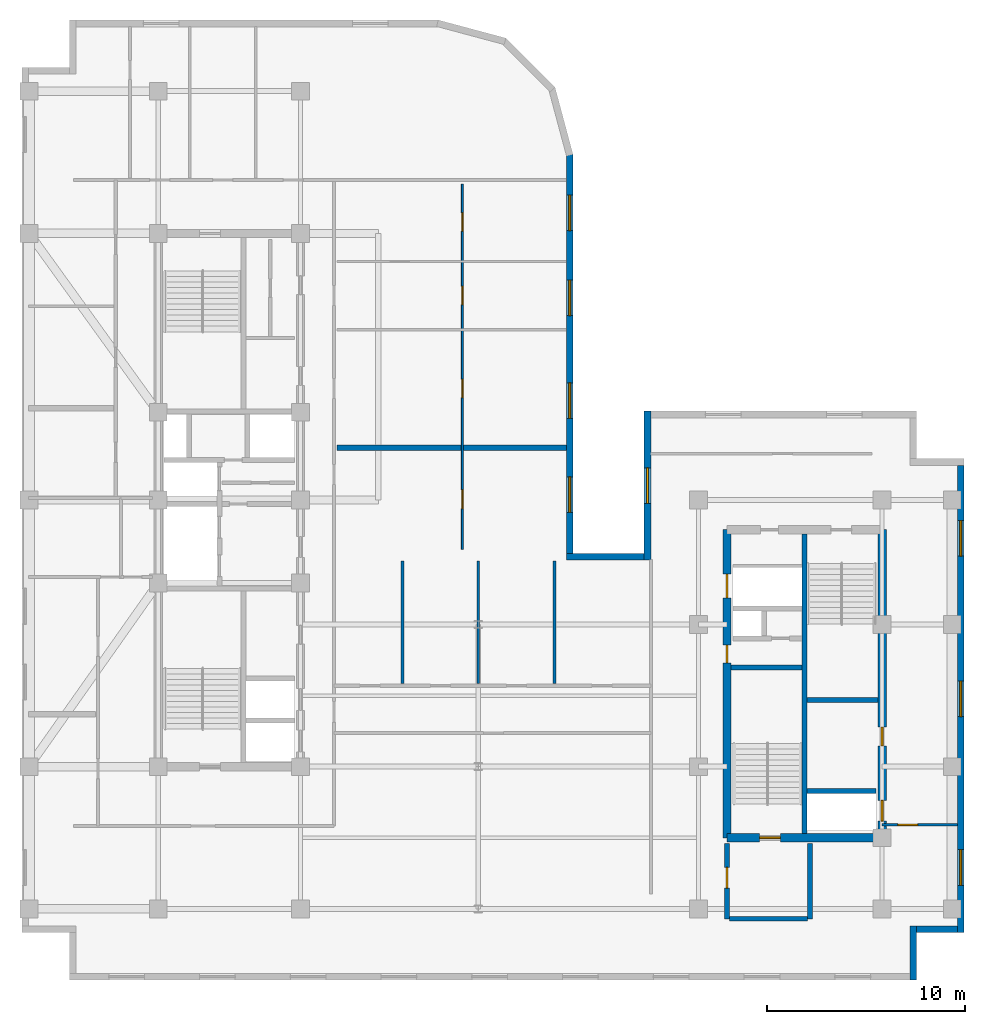
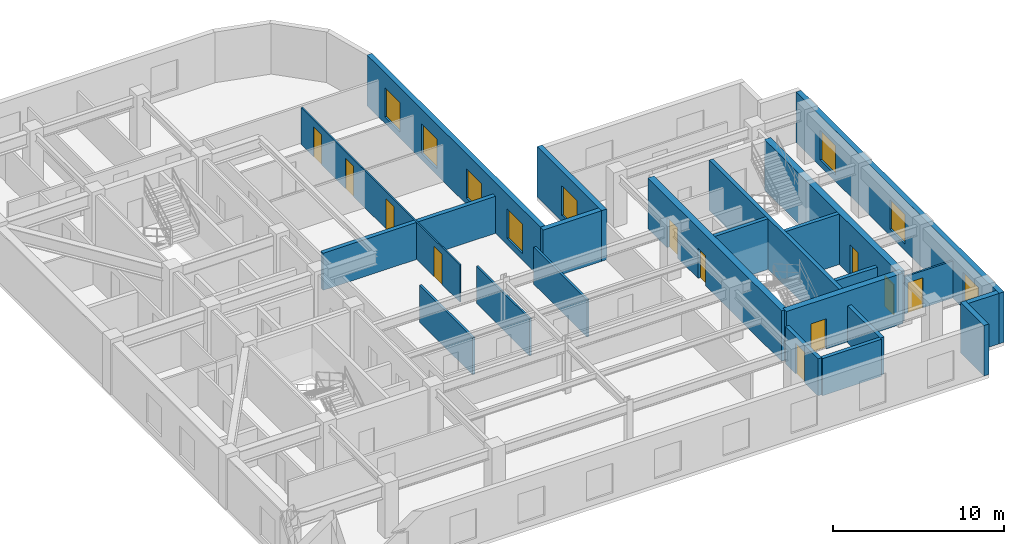
# One storey, part 5 of 10: 22 walls, 11 doors, 8 windows, 19 openings.
"""IFC4 building model written with IfcOpenShell, lengths in metres."""

from ifc_helpers import new_model, entity, si_unit, converted_unit, direction, frame, origin_with_axes, origin_2d_with_axis, place, context, subcontext, project, spatial, polyline, rectangle, outline, extrude, material, layer, layer_set, type_object, element, fill, save


model = new_model("IFC4")

# Units and contexts
model_context = context("Model", 3, precision=1e-05, world=origin_with_axes(), true_north=direction((0.0, 1.0)))
body_context = subcontext(model_context, "Body", "Model", "MODEL_VIEW")
ifc_project = project(units=[si_unit("LENGTHUNIT", "METRE"), si_unit("AREAUNIT", "SQUARE_METRE"), si_unit("VOLUMEUNIT", "CUBIC_METRE"), converted_unit("PLANEANGLEUNIT", "DEGREE", entity("IfcPlaneAngleMeasure", 0.017453292519943295), si_unit("PLANEANGLEUNIT", "RADIAN"), dimensions=[0, 0, 0, 0, 0, 0, 0]), si_unit("MASSUNIT", "GRAM", prefix="KILO"), si_unit("THERMODYNAMICTEMPERATUREUNIT", "KELVIN")], contexts=[model_context])

# Site, building, storey
site_placement = place(None, origin_with_axes())
site = spatial("IfcSite", under=ifc_project, at=site_placement, CompositionType="ELEMENT")
building_placement = place(site_placement, origin_with_axes())
building = spatial("IfcBuilding", under=site, at=building_placement, Name="Varnlund Millrace Tower", CompositionType="ELEMENT")
storey_placement = place(building_placement, frame((0.0, 0.0, 244.2), z_axis=(0.0, 0.0, 1.0), x_axis=(1.0, 0.0, 0.0)))
storey = spatial("IfcBuildingStorey", under=building, at=storey_placement, Name="L60", CompositionType="ELEMENT", Elevation=244.2)

# Wall, openings, doors
ifc_material_1 = material(Name="Concrete C60/75", Category="concrete")
ifc_layer_1 = layer(ifc_material_1, 0.42, Name="Concrete C60/75")
ifc_layer_set_1 = layer_set([ifc_layer_1], Name="Concrete C60/75")
wall_type_1 = type_object("IfcWallType", Name="Type-CoreWall-Shear-420-C60", PredefinedType="SHEAR", material=ifc_layer_set_1)
wall_1_placement = place(storey_placement, frame((40.2, 7.2, 0.0), z_axis=(0.0, 0.0, 1.0), x_axis=(0.0, 1.0, 0.0)))
wall_1 = element("IfcWall", 1, at=wall_1_placement, inside=storey, type_object=wall_type_1, Name="Type-CoreWall-Shear-420-C60", PredefinedType="SHEAR", context=body_context, shape_type="SweptSolid", body=[
    extrude(outline(polyline([(0.0, -0.21), (15.6, -0.21), (15.6, 0.21), (0.0, 0.21), (0.0, -0.21)])), origin_with_axes(), (0.0, 0.0, 1.0), 3.6),
])
opening_1_placement = place(wall_1_placement, frame((12.75, 0.0, 0.0), z_axis=(0.0, 0.0, 1.0), x_axis=(1.0, 0.0, 0.0)))
opening_1 = element("IfcOpeningElement", 2, at=opening_1_placement, cuts=wall_1, Name="Opening L60:LD-SRV2", PredefinedType="OPENING", context=body_context, shape_type="SweptSolid", body=[
    extrude(rectangle(XDim=1.2, YDim=0.44, at=origin_2d_with_axis()), origin_with_axes(), (0.0, 0.0, 1.0), 2.15),
])
opening_2_placement = place(wall_1_placement, frame((9.3, 0.0, 0.0), z_axis=(0.0, 0.0, 1.0), x_axis=(1.0, 0.0, 0.0)))
opening_2 = element("IfcOpeningElement", 3, at=opening_2_placement, cuts=wall_1, Name="Opening L60:DR-CB-JAN", PredefinedType="OPENING", context=body_context, shape_type="SweptSolid", body=[
    extrude(rectangle(XDim=0.9, YDim=0.44, at=origin_2d_with_axis()), origin_with_axes(), (0.0, 0.0, 1.0), 2.15),
])
ifc_material_2 = material(Name="Fire-rated hollow steel service closet door", Category="steel")
door_type_1 = type_object("IfcDoorType", Name="Type-FireDoor-Closet-900X2150", OperationType="NOTDEFINED", PredefinedType="DOOR", material=ifc_material_2)
door_1_placement = place(wall_1_placement, frame((9.3, 0.0, 0.0), z_axis=(0.0, 0.0, 1.0), x_axis=(1.0, 0.0, 0.0)))
door_1 = element("IfcDoor", 4, at=door_1_placement, inside=storey, type_object=door_type_1, Name="Type-FireDoor-Closet-900X2150", OperationType="SINGLE_SWING_RIGHT", OverallHeight=2.15, OverallWidth=0.9, PredefinedType="DOOR", context=body_context, shape_type="SweptSolid", body=[
    extrude(rectangle(XDim=0.9, YDim=0.09, at=origin_2d_with_axis()), origin_with_axes(), (0.0, 0.0, 1.0), 2.15),
])
fill(opening_2, door_1)
ifc_material_3 = material(Name="Heavy-duty freight sliding landing door")
door_type_2 = type_object("IfcDoorType", Name="Type-LiftLandingDoor-Service-1200X2150", OperationType="NOTDEFINED", PredefinedType="DOOR", material=ifc_material_3)
door_2_placement = place(wall_1_placement, frame((12.75, 0.0, 0.0), z_axis=(0.0, 0.0, 1.0), x_axis=(1.0, 0.0, 0.0)))
door_2 = element("IfcDoor", 5, at=door_2_placement, inside=storey, type_object=door_type_2, Name="Type-LiftLandingDoor-Service-1200X2150", OperationType="DOUBLE_DOOR_SLIDING", OverallHeight=2.15, OverallWidth=1.2, PredefinedType="DOOR", context=body_context, shape_type="SweptSolid", body=[
    extrude(rectangle(XDim=1.2, YDim=0.09, at=origin_2d_with_axis()), origin_with_axes(), (0.0, 0.0, 1.0), 2.15),
])
fill(opening_1, door_2)

# Wall, opening, door
wall_2_placement = place(storey_placement, frame((40.2, 7.2, 0.0), z_axis=(0.0, 0.0, 1.0), x_axis=(1.0, 0.0, 0.0)))
wall_2 = element("IfcWall", 6, at=wall_2_placement, inside=storey, type_object=wall_type_1, Name="Type-CoreWall-Shear-420-C60", PredefinedType="SHEAR", context=body_context, shape_type="SweptSolid", body=[
    extrude(outline(polyline([(0.0, -0.21), (7.85, -0.21), (7.85, 0.21), (0.0, 0.21), (0.0, -0.21)])), origin_with_axes(), (0.0, 0.0, 1.0), 3.6),
])
opening_3_placement = place(wall_2_placement, frame((2.175, 0.0, 0.0), z_axis=(0.0, 0.0, 1.0), x_axis=(1.0, 0.0, 0.0)))
opening_3 = element("IfcOpeningElement", 7, at=opening_3_placement, cuts=wall_2, Name="Opening L60:DR-STB1", PredefinedType="OPENING", context=body_context, shape_type="SweptSolid", body=[
    extrude(rectangle(XDim=1.05, YDim=0.44, at=origin_2d_with_axis()), origin_with_axes(), (0.0, 0.0, 1.0), 2.15),
])
ifc_material_4 = material(Name="Fire-rated hollow steel door", Category="steel")
door_type_3 = type_object("IfcDoorType", Name="Type-FireDoor-Stair-1050X2150", OperationType="NOTDEFINED", PredefinedType="DOOR", material=ifc_material_4)
door_3_placement = place(wall_2_placement, frame((2.175, 0.0, 0.0), z_axis=(0.0, 0.0, 1.0), x_axis=(1.0, 0.0, 0.0)))
door_3 = element("IfcDoor", 8, at=door_3_placement, inside=storey, type_object=door_type_3, Name="Type-FireDoor-Stair-1050X2150", OperationType="SINGLE_SWING_LEFT", OverallHeight=2.15, OverallWidth=1.05, PredefinedType="DOOR", context=body_context, shape_type="SweptSolid", body=[
    extrude(rectangle(XDim=1.05, YDim=0.09, at=origin_2d_with_axis()), origin_with_axes(), (0.0, 0.0, 1.0), 2.15),
])
fill(opening_3, door_3)

# Wall, openings, doors
wall_3_placement = place(storey_placement, frame((48.05, 7.2, 0.0), z_axis=(0.0, 0.0, 1.0), x_axis=(0.0, 1.0, 0.0)))
wall_3 = element("IfcWall", 9, at=wall_3_placement, inside=storey, type_object=wall_type_1, Name="Type-CoreWall-Shear-420-C60", PredefinedType="SHEAR", context=body_context, shape_type="SweptSolid", body=[
    extrude(outline(polyline([(0.0, -0.21), (15.6, -0.21), (15.6, 0.21), (0.0, 0.21), (0.0, -0.21)])), origin_with_axes(), (0.0, 0.0, 1.0), 3.6),
])
opening_4_placement = place(wall_3_placement, frame((1.375, 0.0, 0.0), z_axis=(0.0, 0.0, 1.0), x_axis=(1.0, 0.0, 0.0)))
opening_4 = element("IfcOpeningElement", 10, at=opening_4_placement, cuts=wall_3, Name="Opening L60:LD-ELV-H3", PredefinedType="OPENING", context=body_context, shape_type="SweptSolid", body=[
    extrude(rectangle(XDim=1.05, YDim=0.44, at=origin_2d_with_axis()), origin_with_axes(), (0.0, 0.0, 1.0), 2.15),
])
opening_5_placement = place(wall_3_placement, frame((5.125, 0.0, 0.0), z_axis=(0.0, 0.0, 1.0), x_axis=(1.0, 0.0, 0.0)))
opening_5 = element("IfcOpeningElement", 11, at=opening_5_placement, cuts=wall_3, Name="Opening L60:DR-CB-WC", PredefinedType="OPENING", context=body_context, shape_type="SweptSolid", body=[
    extrude(rectangle(XDim=0.95, YDim=0.44, at=origin_2d_with_axis()), origin_with_axes(), (0.0, 0.0, 1.0), 2.15),
])
ifc_material_5 = material(Name="Fire-rated hollow steel core service door", Category="steel")
door_type_4 = type_object("IfcDoorType", Name="Type-FireDoor-Service-950X2150", OperationType="NOTDEFINED", PredefinedType="DOOR", material=ifc_material_5)
door_4_placement = place(wall_3_placement, frame((5.125, 0.0, 0.0), z_axis=(0.0, 0.0, 1.0), x_axis=(1.0, 0.0, 0.0)))
door_4 = element("IfcDoor", 12, at=door_4_placement, inside=storey, type_object=door_type_4, Name="Type-FireDoor-Service-950X2150", OperationType="SINGLE_SWING_LEFT", OverallHeight=2.15, OverallWidth=0.95, PredefinedType="DOOR", context=body_context, shape_type="SweptSolid", body=[
    extrude(rectangle(XDim=0.95, YDim=0.09, at=origin_2d_with_axis()), origin_with_axes(), (0.0, 0.0, 1.0), 2.15),
])
fill(opening_5, door_4)
ifc_material_6 = material(Name="Architectural bronze sliding landing door")
door_type_5 = type_object("IfcDoorType", Name="Type-LiftLandingDoor-Compact-1050X2150", OperationType="NOTDEFINED", PredefinedType="DOOR", material=ifc_material_6)
door_5_placement = place(wall_3_placement, frame((1.375, 0.0, 0.0), z_axis=(0.0, 0.0, 1.0), x_axis=(1.0, 0.0, 0.0)))
door_5 = element("IfcDoor", 13, at=door_5_placement, inside=storey, type_object=door_type_5, Name="Type-LiftLandingDoor-Compact-1050X2150", OperationType="SLIDING_TO_LEFT", OverallHeight=2.15, OverallWidth=1.05, PredefinedType="DOOR", context=body_context, shape_type="SweptSolid", body=[
    extrude(rectangle(XDim=1.05, YDim=0.09, at=origin_2d_with_axis()), origin_with_axes(), (0.0, 0.0, 1.0), 2.15),
])
fill(opening_4, door_5)

# Wall, opening, window
ifc_material_7 = material(Name="Precast concrete C50/60", Category="concrete")
ifc_layer_2 = layer(ifc_material_7, 0.34, Name="Precast concrete C50/60")
ifc_layer_set_2 = layer_set([ifc_layer_2], Name="Precast concrete C50/60")
wall_type_2 = type_object("IfcWallType", Name="Type-ExtWall-Precast-Upper-340", PredefinedType="SOLIDWALL", material=ifc_layer_set_2)
wall_4_placement = place(storey_placement, frame((36.17, 21.26, 0.0), z_axis=(0.0, 0.0, 1.0), x_axis=(0.0, 1.0, 0.0)))
wall_4 = element("IfcWall", 14, at=wall_4_placement, inside=storey, type_object=wall_type_2, Name="Type-ExtWall-Precast-Upper-340", PredefinedType="SOLIDWALL", context=body_context, shape_type="SweptSolid", body=[
    extrude(outline(polyline([(0.0, -0.17), (7.54, -0.17), (7.54, 0.17), (0.0, 0.17), (0.0, -0.17)])), origin_with_axes(), (0.0, 0.0, 1.0), 3.6),
])
opening_6_placement = place(wall_4_placement, frame((3.77, 0.0, 0.45), z_axis=(0.0, 0.0, 1.0), x_axis=(1.0, 0.0, 0.0)))
opening_6 = element("IfcOpeningElement", 15, at=opening_6_placement, cuts=wall_4, Name="Opening L60:WN-01", PredefinedType="OPENING", context=body_context, shape_type="SweptSolid", body=[
    extrude(rectangle(XDim=1.8, YDim=0.36, at=origin_2d_with_axis()), origin_with_axes(), (0.0, 0.0, 1.0), 2.1),
])
ifc_material_8 = material(Name="Argon low-e triple glazing in thermally broken bronze frame", Category="glass")
window_type = type_object("IfcWindowType", Name="Type-Window-Punched-1800X2100", PartitioningType="SINGLE_PANEL", PredefinedType="WINDOW", material=ifc_material_8)
window_1_placement = place(wall_4_placement, frame((3.77, 0.0, 0.45), z_axis=(0.0, 0.0, 1.0), x_axis=(1.0, 0.0, 0.0)))
window_1 = element("IfcWindow", 16, at=window_1_placement, inside=storey, type_object=window_type, Name="Type-Window-Punched-1800X2100", OverallHeight=2.1, OverallWidth=1.8, PredefinedType="WINDOW", context=body_context, shape_type="SweptSolid", body=[
    extrude(rectangle(XDim=1.8, YDim=0.09, at=origin_2d_with_axis()), origin_with_axes(), (0.0, 0.0, 1.0), 2.1),
])
fill(opening_6, window_1)

# Wall, openings, windows
wall_5_placement = place(storey_placement, frame((52.03, 26.06, 0.0), z_axis=(0.0, 0.0, 1.0), x_axis=(0.0, -1.0, 0.0)))
wall_5 = element("IfcWall", 17, at=wall_5_placement, inside=storey, type_object=wall_type_2, Name="Type-ExtWall-Precast-Upper-340", PredefinedType="SOLIDWALL", context=body_context, shape_type="SweptSolid", body=[
    extrude(outline(polyline([(0.0, -0.17), (23.66, -0.17), (23.66, 0.17), (0.0, 0.17), (0.0, -0.17)])), origin_with_axes(), (0.0, 0.0, 1.0), 3.6),
])
opening_7_placement = place(wall_5_placement, frame((3.696, 0.0, 0.45), z_axis=(0.0, 0.0, 1.0), x_axis=(1.0, 0.0, 0.0)))
opening_7 = element("IfcOpeningElement", 18, at=opening_7_placement, cuts=wall_5, Name="Opening L60:WN-04", PredefinedType="OPENING", context=body_context, shape_type="SweptSolid", body=[
    extrude(rectangle(XDim=1.8, YDim=0.36, at=origin_2d_with_axis()), origin_with_axes(), (0.0, 0.0, 1.0), 2.1),
])
opening_8_placement = place(wall_5_placement, frame((11.83, 0.0, 0.45), z_axis=(0.0, 0.0, 1.0), x_axis=(1.0, 0.0, 0.0)))
opening_8 = element("IfcOpeningElement", 19, at=opening_8_placement, cuts=wall_5, Name="Opening L60:WN-05", PredefinedType="OPENING", context=body_context, shape_type="SweptSolid", body=[
    extrude(rectangle(XDim=1.8, YDim=0.36, at=origin_2d_with_axis()), origin_with_axes(), (0.0, 0.0, 1.0), 2.1),
])
opening_9_placement = place(wall_5_placement, frame((20.364, 0.0, 0.45), z_axis=(0.0, 0.0, 1.0), x_axis=(1.0, 0.0, 0.0)))
opening_9 = element("IfcOpeningElement", 20, at=opening_9_placement, cuts=wall_5, Name="Opening L60:WN-06", PredefinedType="OPENING", context=body_context, shape_type="SweptSolid", body=[
    extrude(rectangle(XDim=1.8, YDim=0.36, at=origin_2d_with_axis()), origin_with_axes(), (0.0, 0.0, 1.0), 2.1),
])
window_2_placement = place(wall_5_placement, frame((3.696, 0.0, 0.45), z_axis=(0.0, 0.0, 1.0), x_axis=(1.0, 0.0, 0.0)))
window_2 = element("IfcWindow", 21, at=window_2_placement, inside=storey, type_object=window_type, Name="Type-Window-Punched-1800X2100", OverallHeight=2.1, OverallWidth=1.8, PredefinedType="WINDOW", context=body_context, shape_type="SweptSolid", body=[
    extrude(rectangle(XDim=1.8, YDim=0.09, at=origin_2d_with_axis()), origin_with_axes(), (0.0, 0.0, 1.0), 2.1),
])
fill(opening_7, window_2)
window_3_placement = place(wall_5_placement, frame((11.83, 0.0, 0.45), z_axis=(0.0, 0.0, 1.0), x_axis=(1.0, 0.0, 0.0)))
window_3 = element("IfcWindow", 22, at=window_3_placement, inside=storey, type_object=window_type, Name="Type-Window-Punched-1800X2100", OverallHeight=2.1, OverallWidth=1.8, PredefinedType="WINDOW", context=body_context, shape_type="SweptSolid", body=[
    extrude(rectangle(XDim=1.8, YDim=0.09, at=origin_2d_with_axis()), origin_with_axes(), (0.0, 0.0, 1.0), 2.1),
])
fill(opening_8, window_3)
window_4_placement = place(wall_5_placement, frame((20.364, 0.0, 0.45), z_axis=(0.0, 0.0, 1.0), x_axis=(1.0, 0.0, 0.0)))
window_4 = element("IfcWindow", 23, at=window_4_placement, inside=storey, type_object=window_type, Name="Type-Window-Punched-1800X2100", OverallHeight=2.1, OverallWidth=1.8, PredefinedType="WINDOW", context=body_context, shape_type="SweptSolid", body=[
    extrude(rectangle(XDim=1.8, YDim=0.09, at=origin_2d_with_axis()), origin_with_axes(), (0.0, 0.0, 1.0), 2.1),
])
fill(opening_9, window_4)

# Walls
wall_6_placement = place(storey_placement, frame((51.86, 2.57, 0.0), z_axis=(0.0, 0.0, 1.0), x_axis=(-1.0, 0.0, 0.0)))
element("IfcWall", 24, at=wall_6_placement, inside=storey, type_object=wall_type_2, Name="Type-ExtWall-Precast-Upper-340", PredefinedType="SOLIDWALL", context=body_context, shape_type="SweptSolid", body=[
    extrude(outline(polyline([(0.0, -0.17), (2.06, -0.17), (2.06, 0.17), (0.0, 0.17), (0.0, -0.17)])), origin_with_axes(), (0.0, 0.0, 1.0), 3.6),
])
wall_7_placement = place(storey_placement, frame((49.63, 2.74, 0.0), z_axis=(0.0, 0.0, 1.0), x_axis=(0.0, -1.0, 0.0)))
element("IfcWall", 25, at=wall_7_placement, inside=storey, type_object=wall_type_2, Name="Type-ExtWall-Precast-Upper-340", PredefinedType="SOLIDWALL", context=body_context, shape_type="SweptSolid", body=[
    extrude(outline(polyline([(0.0, -0.17), (2.74, -0.17), (2.74, 0.17), (0.0, 0.17), (0.0, -0.17)])), origin_with_axes(), (0.0, 0.0, 1.0), 3.6),
])

# Wall, openings, windows
wall_8_placement = place(storey_placement, frame((32.23, 41.82, 0.0), z_axis=(0.0, 0.0, 1.0), x_axis=(0.0, -1.0, 0.0)))
wall_8 = element("IfcWall", 26, at=wall_8_placement, inside=storey, type_object=wall_type_2, Name="Type-ExtWall-Precast-Upper-340", PredefinedType="SOLIDWALL", context=body_context, shape_type="SweptSolid", body=[
    extrude(outline(polyline([(0.0, -0.17), (20.22, -0.17), (20.22, 0.17), (0.0, 0.17), (0.0, -0.17)])), origin_with_axes(), (0.0, 0.0, 1.0), 3.6),
])
opening_10_placement = place(wall_8_placement, frame((2.978, 0.0, 0.45), z_axis=(0.0, 0.0, 1.0), x_axis=(1.0, 0.0, 0.0)))
opening_10 = element("IfcOpeningElement", 27, at=opening_10_placement, cuts=wall_8, Name="Opening L60:WN-22", PredefinedType="OPENING", context=body_context, shape_type="SweptSolid", body=[
    extrude(rectangle(XDim=1.8, YDim=0.36, at=origin_2d_with_axis()), origin_with_axes(), (0.0, 0.0, 1.0), 2.1),
])
opening_11_placement = place(wall_8_placement, frame((7.282, 0.0, 0.45), z_axis=(0.0, 0.0, 1.0), x_axis=(1.0, 0.0, 0.0)))
opening_11 = element("IfcOpeningElement", 28, at=opening_11_placement, cuts=wall_8, Name="Opening L60:WN-23", PredefinedType="OPENING", context=body_context, shape_type="SweptSolid", body=[
    extrude(rectangle(XDim=1.8, YDim=0.36, at=origin_2d_with_axis()), origin_with_axes(), (0.0, 0.0, 1.0), 2.1),
])
opening_12_placement = place(wall_8_placement, frame((12.487, 0.0, 0.45), z_axis=(0.0, 0.0, 1.0), x_axis=(1.0, 0.0, 0.0)))
opening_12 = element("IfcOpeningElement", 29, at=opening_12_placement, cuts=wall_8, Name="Opening L60:WN-24", PredefinedType="OPENING", context=body_context, shape_type="SweptSolid", body=[
    extrude(rectangle(XDim=1.8, YDim=0.36, at=origin_2d_with_axis()), origin_with_axes(), (0.0, 0.0, 1.0), 2.1),
])
opening_13_placement = place(wall_8_placement, frame((17.243, 0.0, 0.45), z_axis=(0.0, 0.0, 1.0), x_axis=(1.0, 0.0, 0.0)))
opening_13 = element("IfcOpeningElement", 30, at=opening_13_placement, cuts=wall_8, Name="Opening L60:WN-25", PredefinedType="OPENING", context=body_context, shape_type="SweptSolid", body=[
    extrude(rectangle(XDim=1.8, YDim=0.36, at=origin_2d_with_axis()), origin_with_axes(), (0.0, 0.0, 1.0), 2.1),
])
window_5_placement = place(wall_8_placement, frame((2.978, 0.0, 0.45), z_axis=(0.0, 0.0, 1.0), x_axis=(1.0, 0.0, 0.0)))
window_5 = element("IfcWindow", 31, at=window_5_placement, inside=storey, type_object=window_type, Name="Type-Window-Punched-1800X2100", OverallHeight=2.1, OverallWidth=1.8, PredefinedType="WINDOW", context=body_context, shape_type="SweptSolid", body=[
    extrude(rectangle(XDim=1.8, YDim=0.09, at=origin_2d_with_axis()), origin_with_axes(), (0.0, 0.0, 1.0), 2.1),
])
fill(opening_10, window_5)
window_6_placement = place(wall_8_placement, frame((7.282, 0.0, 0.45), z_axis=(0.0, 0.0, 1.0), x_axis=(1.0, 0.0, 0.0)))
window_6 = element("IfcWindow", 32, at=window_6_placement, inside=storey, type_object=window_type, Name="Type-Window-Punched-1800X2100", OverallHeight=2.1, OverallWidth=1.8, PredefinedType="WINDOW", context=body_context, shape_type="SweptSolid", body=[
    extrude(rectangle(XDim=1.8, YDim=0.09, at=origin_2d_with_axis()), origin_with_axes(), (0.0, 0.0, 1.0), 2.1),
])
fill(opening_11, window_6)
window_7_placement = place(wall_8_placement, frame((12.487, 0.0, 0.45), z_axis=(0.0, 0.0, 1.0), x_axis=(1.0, 0.0, 0.0)))
window_7 = element("IfcWindow", 33, at=window_7_placement, inside=storey, type_object=window_type, Name="Type-Window-Punched-1800X2100", OverallHeight=2.1, OverallWidth=1.8, PredefinedType="WINDOW", context=body_context, shape_type="SweptSolid", body=[
    extrude(rectangle(XDim=1.8, YDim=0.09, at=origin_2d_with_axis()), origin_with_axes(), (0.0, 0.0, 1.0), 2.1),
])
fill(opening_12, window_7)
window_8_placement = place(wall_8_placement, frame((17.243, 0.0, 0.45), z_axis=(0.0, 0.0, 1.0), x_axis=(1.0, 0.0, 0.0)))
window_8 = element("IfcWindow", 34, at=window_8_placement, inside=storey, type_object=window_type, Name="Type-Window-Punched-1800X2100", OverallHeight=2.1, OverallWidth=1.8, PredefinedType="WINDOW", context=body_context, shape_type="SweptSolid", body=[
    extrude(rectangle(XDim=1.8, YDim=0.09, at=origin_2d_with_axis()), origin_with_axes(), (0.0, 0.0, 1.0), 2.1),
])
fill(opening_13, window_8)

# Walls
wall_9_placement = place(storey_placement, frame((32.06, 21.43, 0.0), z_axis=(0.0, 0.0, 1.0), x_axis=(1.0, 0.0, 0.0)))
element("IfcWall", 35, at=wall_9_placement, inside=storey, type_object=wall_type_2, Name="Type-ExtWall-Precast-Upper-340", PredefinedType="SOLIDWALL", context=body_context, shape_type="SweptSolid", body=[
    extrude(outline(polyline([(0.0, -0.17), (3.94, -0.17), (3.94, 0.17), (0.0, 0.17), (0.0, -0.17)])), origin_with_axes(), (0.0, 0.0, 1.0), 3.6),
])
ifc_material_9 = material(Name="Double-stud STC-60 conference acoustic partition", Category="gypsum")
ifc_layer_3 = layer(ifc_material_9, 0.28, Name="Double-stud STC-60 conference acoustic partition")
ifc_layer_set_3 = layer_set([ifc_layer_3], Name="Double-stud STC-60 conference acoustic partition")
wall_type_3 = type_object("IfcWallType", Name="Type-Partition-Acoustic-280", PredefinedType="PARTITIONING", material=ifc_layer_set_3)
wall_10_placement = place(storey_placement, frame((20.45, 26.958, 0.0), z_axis=(0.0, 0.0, 1.0), x_axis=(1.0, 0.0, 0.0)))
element("IfcWall", 36, at=wall_10_placement, inside=storey, type_object=wall_type_3, Name="Type-Partition-Acoustic-280", PredefinedType="PARTITIONING", context=body_context, shape_type="SweptSolid", body=[
    extrude(outline(polyline([(0.0, -0.14), (11.615, -0.14), (11.615, 0.14), (0.0, 0.14), (0.0, -0.14)])), origin_with_axes(), (0.0, 0.0, 1.0), 2.64),
])
ifc_material_10 = material(Name="Acoustic STC-50 gypsum board partition", Category="gypsum")
ifc_layer_4 = layer(ifc_material_10, 0.15, Name="Acoustic STC-50 gypsum board partition")
ifc_layer_set_4 = layer_set([ifc_layer_4], Name="Acoustic STC-50 gypsum board partition")
wall_type_4 = type_object("IfcWallType", Name="Type-Partition-Demising-150", PredefinedType="PARTITIONING", material=ifc_layer_set_4)
for number, where, z_axis, x_axis, name in (
    (37, (23.773, 15.02, 0.0), (0.0, 0.0, 1.0), (0.0, 1.0, 0.0), "Type-Partition-Demising-150"),
    (38, (31.473, 15.02, 0.0), (0.0, 0.0, 1.0), (0.0, 1.0, 0.0), "Type-Partition-Demising-150"),
):
    element("IfcWall", number, at=place(storey_placement, frame(where, z_axis=z_axis, x_axis=x_axis)), inside=storey, type_object=wall_type_4, Name=name, PredefinedType="PARTITIONING", context=body_context, shape_type="SweptSolid", body=[
        extrude(outline(polyline([(0.0, -0.075), (6.2, -0.075), (6.2, 0.075), (0.0, 0.075), (0.0, -0.075)])), origin_with_axes(), (0.0, 0.0, 1.0), 2.64),
    ])

# Wall, openings, doors
ifc_material_11 = material(Name="Architectural bronze and acoustic glass office front", Category="glass")
ifc_layer_5 = layer(ifc_material_11, 0.1, Name="Architectural bronze and acoustic glass office front")
ifc_layer_set_5 = layer_set([ifc_layer_5], Name="Architectural bronze and acoustic glass office front")
wall_type_5 = type_object("IfcWallType", Name="Type-Partition-Glazed-100", PredefinedType="PARTITIONING", material=ifc_layer_set_5)
wall_11_placement = place(storey_placement, frame((26.8, 21.8, 0.0), z_axis=(0.0, 0.0, 1.0), x_axis=(0.0, 1.0, 0.0)))
wall_11 = element("IfcWall", 39, at=wall_11_placement, inside=storey, type_object=wall_type_5, Name="Type-Partition-Glazed-100", PredefinedType="PARTITIONING", context=body_context, shape_type="SweptSolid", body=[
    extrude(outline(polyline([(0.0, -0.05), (18.5, -0.05), (18.5, 0.05), (0.0, 0.05), (0.0, -0.05)])), origin_with_axes(), (0.0, 0.0, 1.0), 2.64),
])
opening_14_placement = place(wall_11_placement, frame((2.544, 0.0, 0.0), z_axis=(0.0, 0.0, 1.0), x_axis=(1.0, 0.0, 0.0)))
opening_14 = element("IfcOpeningElement", 40, at=opening_14_placement, cuts=wall_11, Name="Opening L60:DR-FLR-S01", PredefinedType="OPENING", context=body_context, shape_type="SweptSolid", body=[
    extrude(rectangle(XDim=0.95, YDim=0.12, at=origin_2d_with_axis()), origin_with_axes(), (0.0, 0.0, 1.0), 2.15),
])
opening_15_placement = place(wall_11_placement, frame((8.145, 0.0, 0.0), z_axis=(0.0, 0.0, 1.0), x_axis=(1.0, 0.0, 0.0)))
opening_15 = element("IfcOpeningElement", 41, at=opening_15_placement, cuts=wall_11, Name="Opening L60:DR-FLR-S02", PredefinedType="OPENING", context=body_context, shape_type="SweptSolid", body=[
    extrude(rectangle(XDim=0.95, YDim=0.12, at=origin_2d_with_axis()), origin_with_axes(), (0.0, 0.0, 1.0), 2.15),
])
opening_16_placement = place(wall_11_placement, frame((12.855, 0.0, 0.0), z_axis=(0.0, 0.0, 1.0), x_axis=(1.0, 0.0, 0.0)))
opening_16 = element("IfcOpeningElement", 42, at=opening_16_placement, cuts=wall_11, Name="Opening L60:DR-FLR-S03", PredefinedType="OPENING", context=body_context, shape_type="SweptSolid", body=[
    extrude(rectangle(XDim=0.95, YDim=0.12, at=origin_2d_with_axis()), origin_with_axes(), (0.0, 0.0, 1.0), 2.15),
])
opening_17_placement = place(wall_11_placement, frame((16.574, 0.0, 0.0), z_axis=(0.0, 0.0, 1.0), x_axis=(1.0, 0.0, 0.0)))
opening_17 = element("IfcOpeningElement", 43, at=opening_17_placement, cuts=wall_11, Name="Opening L60:DR-FLR-S04", PredefinedType="OPENING", context=body_context, shape_type="SweptSolid", body=[
    extrude(rectangle(XDim=0.95, YDim=0.12, at=origin_2d_with_axis()), origin_with_axes(), (0.0, 0.0, 1.0), 2.15),
])
ifc_material_12 = material(Name="Solid-core acoustic office door")
door_type_6 = type_object("IfcDoorType", Name="Type-IntDoor-Tenant-950X2150", OperationType="NOTDEFINED", PredefinedType="DOOR", material=ifc_material_12)
door_6_placement = place(wall_11_placement, frame((2.544, 0.0, 0.0), z_axis=(0.0, 0.0, 1.0), x_axis=(1.0, 0.0, 0.0)))
door_6 = element("IfcDoor", 44, at=door_6_placement, inside=storey, type_object=door_type_6, Name="Type-IntDoor-Tenant-950X2150", OperationType="SINGLE_SWING_LEFT", OverallHeight=2.15, OverallWidth=0.95, PredefinedType="DOOR", context=body_context, shape_type="SweptSolid", body=[
    extrude(rectangle(XDim=0.95, YDim=0.06, at=origin_2d_with_axis()), origin_with_axes(), (0.0, 0.0, 1.0), 2.15),
])
fill(opening_14, door_6)
door_7_placement = place(wall_11_placement, frame((8.145, 0.0, 0.0), z_axis=(0.0, 0.0, 1.0), x_axis=(1.0, 0.0, 0.0)))
door_7 = element("IfcDoor", 45, at=door_7_placement, inside=storey, type_object=door_type_6, Name="Type-IntDoor-Tenant-950X2150", OperationType="SINGLE_SWING_LEFT", OverallHeight=2.15, OverallWidth=0.95, PredefinedType="DOOR", context=body_context, shape_type="SweptSolid", body=[
    extrude(rectangle(XDim=0.95, YDim=0.06, at=origin_2d_with_axis()), origin_with_axes(), (0.0, 0.0, 1.0), 2.15),
])
fill(opening_15, door_7)
door_8_placement = place(wall_11_placement, frame((12.855, 0.0, 0.0), z_axis=(0.0, 0.0, 1.0), x_axis=(1.0, 0.0, 0.0)))
door_8 = element("IfcDoor", 46, at=door_8_placement, inside=storey, type_object=door_type_6, Name="Type-IntDoor-Tenant-950X2150", OperationType="SINGLE_SWING_LEFT", OverallHeight=2.15, OverallWidth=0.95, PredefinedType="DOOR", context=body_context, shape_type="SweptSolid", body=[
    extrude(rectangle(XDim=0.95, YDim=0.06, at=origin_2d_with_axis()), origin_with_axes(), (0.0, 0.0, 1.0), 2.15),
])
fill(opening_16, door_8)
door_9_placement = place(wall_11_placement, frame((16.574, 0.0, 0.0), z_axis=(0.0, 0.0, 1.0), x_axis=(1.0, 0.0, 0.0)))
door_9 = element("IfcDoor", 47, at=door_9_placement, inside=storey, type_object=door_type_6, Name="Type-IntDoor-Tenant-950X2150", OperationType="SINGLE_SWING_LEFT", OverallHeight=2.15, OverallWidth=0.95, PredefinedType="DOOR", context=body_context, shape_type="SweptSolid", body=[
    extrude(rectangle(XDim=0.95, YDim=0.06, at=origin_2d_with_axis()), origin_with_axes(), (0.0, 0.0, 1.0), 2.15),
])
fill(opening_17, door_9)

# Wall
ifc_material_13 = material(Name="Gypsum board tenant partition", Category="gypsum")
ifc_layer_6 = layer(ifc_material_13, 0.125, Name="Gypsum board tenant partition")
ifc_layer_set_6 = layer_set([ifc_layer_6], Name="Gypsum board tenant partition")
wall_type_6 = type_object("IfcWallType", Name="Type-Partition-Tenant-125", PredefinedType="PARTITIONING", material=ifc_layer_set_6)
wall_12_placement = place(storey_placement, frame((27.6, 15.02, 0.0), z_axis=(0.0, 0.0, 1.0), x_axis=(0.0, 1.0, 0.0)))
element("IfcWall", 48, at=wall_12_placement, inside=storey, type_object=wall_type_6, Name="Type-Partition-Tenant-125", PredefinedType="PARTITIONING", context=body_context, shape_type="SweptSolid", body=[
    extrude(outline(polyline([(0.0, -0.0625), (6.2, -0.0625), (6.2, 0.0625), (0.0, 0.0625), (0.0, -0.0625)])), origin_with_axes(), (0.0, 0.0, 1.0), 2.64),
])

# Wall, opening, door
wall_13_placement = place(storey_placement, frame((51.865, 7.85, 0.0), z_axis=(0.0, 0.0, 1.0), x_axis=(-1.0, 0.0, 0.0)))
wall_13 = element("IfcWall", 49, at=wall_13_placement, inside=storey, type_object=wall_type_6, Name="Type-Partition-Tenant-125", PredefinedType="PARTITIONING", context=body_context, shape_type="SweptSolid", body=[
    extrude(outline(polyline([(0.0, -0.0625), (3.815, -0.0625), (3.815, 0.0625), (0.0, 0.0625), (0.0, -0.0625)])), origin_with_axes(), (0.0, 0.0, 1.0), 2.64),
])
opening_18_placement = place(wall_13_placement, frame((2.515, 0.0, 0.0), z_axis=(0.0, 0.0, 1.0), x_axis=(1.0, 0.0, 0.0)))
opening_18 = element("IfcOpeningElement", 50, at=opening_18_placement, cuts=wall_13, Name="Opening L60:DR-WBS-01", PredefinedType="OPENING", context=body_context, shape_type="SweptSolid", body=[
    extrude(rectangle(XDim=1.0, YDim=0.145, at=origin_2d_with_axis()), origin_with_axes(), (0.0, 0.0, 1.0), 2.15),
])
ifc_material_14 = material(Name="Solid-core white oak and bronze frame door")
door_type_7 = type_object("IfcDoorType", Name="Type-IntDoor-Office-1000X2150", OperationType="NOTDEFINED", PredefinedType="DOOR", material=ifc_material_14)
door_10_placement = place(wall_13_placement, frame((2.515, 0.0, 0.0), z_axis=(0.0, 0.0, 1.0), x_axis=(1.0, 0.0, 0.0)))
door_10 = element("IfcDoor", 51, at=door_10_placement, inside=storey, type_object=door_type_7, Name="Type-IntDoor-Office-1000X2150", OperationType="SINGLE_SWING_LEFT", OverallHeight=2.15, OverallWidth=1.0, PredefinedType="DOOR", context=body_context, shape_type="SweptSolid", body=[
    extrude(rectangle(XDim=1.0, YDim=0.075, at=origin_2d_with_axis()), origin_with_axes(), (0.0, 0.0, 1.0), 2.15),
])
fill(opening_18, door_10)

ifc_layer_7 = layer(ifc_material_1, 0.25, Name="Concrete C60/75")
ifc_layer_set_7 = layer_set([ifc_layer_7], Name="Concrete C60/75")
wall_type_7 = type_object("IfcWallType", Name="Type-ShaftWall-Fire-250", PredefinedType="SOLIDWALL", material=ifc_layer_set_7)
wall_14_placement = place(storey_placement, frame((40.2, 3.1, 0.0), z_axis=(0.0, 0.0, 1.0), x_axis=(0.0, 1.0, 0.0)))
wall_14 = element("IfcWall", 52, at=wall_14_placement, inside=storey, type_object=wall_type_7, Name="Type-ShaftWall-Fire-250", PredefinedType="SOLIDWALL", context=body_context, shape_type="SweptSolid", body=[
    extrude(outline(polyline([(0.0, -0.125), (3.8, -0.125), (3.8, 0.125), (0.0, 0.125), (0.0, -0.125)])), origin_with_axes(), (0.0, 0.0, 1.0), 2.64),
])
opening_19_placement = place(wall_14_placement, frame((2.075, 0.0, 0.0), z_axis=(0.0, 0.0, 1.0), x_axis=(1.0, 0.0, 0.0)))
opening_19 = element("IfcOpeningElement", 53, at=opening_19_placement, cuts=wall_14, Name="Opening L60:DR-FFLOB-B", PredefinedType="OPENING", context=body_context, shape_type="SweptSolid", body=[
    extrude(rectangle(XDim=1.05, YDim=0.27, at=origin_2d_with_axis()), origin_with_axes(), (0.0, 0.0, 1.0), 2.15),
])
ifc_material_15 = material(Name="Smoke-barrier hollow steel fire door", Category="steel")
door_type_8 = type_object("IfcDoorType", Name="Type-FireDoor-Lobby-1050X2150", OperationType="NOTDEFINED", PredefinedType="DOOR", material=ifc_material_15)
door_11_placement = place(wall_14_placement, frame((2.075, 0.0, 0.0), z_axis=(0.0, 0.0, 1.0), x_axis=(1.0, 0.0, 0.0)))
door_11 = element("IfcDoor", 54, at=door_11_placement, inside=storey, type_object=door_type_8, Name="Type-FireDoor-Lobby-1050X2150", OperationType="SINGLE_SWING_LEFT", OverallHeight=2.15, OverallWidth=1.05, PredefinedType="DOOR", context=body_context, shape_type="SweptSolid", body=[
    extrude(rectangle(XDim=1.05, YDim=0.09, at=origin_2d_with_axis()), origin_with_axes(), (0.0, 0.0, 1.0), 2.15),
])
fill(opening_19, door_11)

# Walls
wall_15_placement = place(storey_placement, frame((40.325, 3.1, 0.0), z_axis=(0.0, 0.0, 1.0), x_axis=(1.0, 0.0, 0.0)))
element("IfcWall", 55, at=wall_15_placement, inside=storey, type_object=wall_type_7, Name="Type-ShaftWall-Fire-250", PredefinedType="SOLIDWALL", context=body_context, shape_type="SweptSolid", body=[
    extrude(outline(polyline([(0.0, -0.125), (3.95, -0.125), (3.95, 0.125), (0.0, 0.125), (0.0, -0.125)])), origin_with_axes(), (0.0, 0.0, 1.0), 2.64),
])
wall_16_placement = place(storey_placement, frame((44.4, 3.1, 0.0), z_axis=(0.0, 0.0, 1.0), x_axis=(0.0, 1.0, 0.0)))
element("IfcWall", 56, at=wall_16_placement, inside=storey, type_object=wall_type_7, Name="Type-ShaftWall-Fire-250", PredefinedType="SOLIDWALL", context=body_context, shape_type="SweptSolid", body=[
    extrude(outline(polyline([(0.0, -0.125), (3.8, -0.125), (3.8, 0.125), (0.0, 0.125), (0.0, -0.125)])), origin_with_axes(), (0.0, 0.0, 1.0), 2.64),
])
wall_17_placement = place(storey_placement, frame((44.25, 9.56, 0.0), z_axis=(0.0, 0.0, 1.0), x_axis=(1.0, 0.0, 0.0)))
element("IfcWall", 57, at=wall_17_placement, inside=storey, type_object=wall_type_7, Name="Type-ShaftWall-Fire-250", PredefinedType="SOLIDWALL", context=body_context, shape_type="SweptSolid", body=[
    extrude(outline(polyline([(0.0, -0.125), (3.5, -0.125), (3.5, 0.125), (0.0, 0.125), (0.0, -0.125)])), origin_with_axes(), (0.0, 0.0, 1.0), 2.64),
])
wall_type_8 = type_object("IfcWallType", Name="Type-StairWall-Shear-250", PredefinedType="SHEAR", material=ifc_layer_set_7)
wall_18_placement = place(storey_placement, frame((44.125, 7.41, 0.0), z_axis=(0.0, 0.0, 1.0), x_axis=(0.0, 1.0, 0.0)))
element("IfcWall", 58, at=wall_18_placement, inside=storey, type_object=wall_type_8, Name="Type-StairWall-Shear-250", PredefinedType="SHEAR", context=body_context, shape_type="SweptSolid", body=[
    extrude(outline(polyline([(0.0, -0.125), (15.18, -0.125), (15.18, 0.125), (0.0, 0.125), (0.0, -0.125)])), origin_with_axes(), (0.0, 0.0, 1.0), 3.6),
])
for number, where, z_axis, x_axis, name in (
    (59, (40.41, 15.825, 0.0), (0.0, 0.0, 1.0), (1.0, 0.0, 0.0), "Type-StairWall-Shear-250"),
    (60, (44.25, 14.175, 0.0), (0.0, 0.0, 1.0), (1.0, 0.0, 0.0), "Type-StairWall-Shear-250"),
):
    element("IfcWall", number, at=place(storey_placement, frame(where, z_axis=z_axis, x_axis=x_axis)), inside=storey, type_object=wall_type_8, Name=name, PredefinedType="SHEAR", context=body_context, shape_type="SweptSolid", body=[
        extrude(outline(polyline([(0.0, -0.125), (3.59, -0.125), (3.59, 0.125), (0.0, 0.125), (0.0, -0.125)])), origin_with_axes(), (0.0, 0.0, 1.0), 3.6),
    ])

save(model, "model.ifc")
